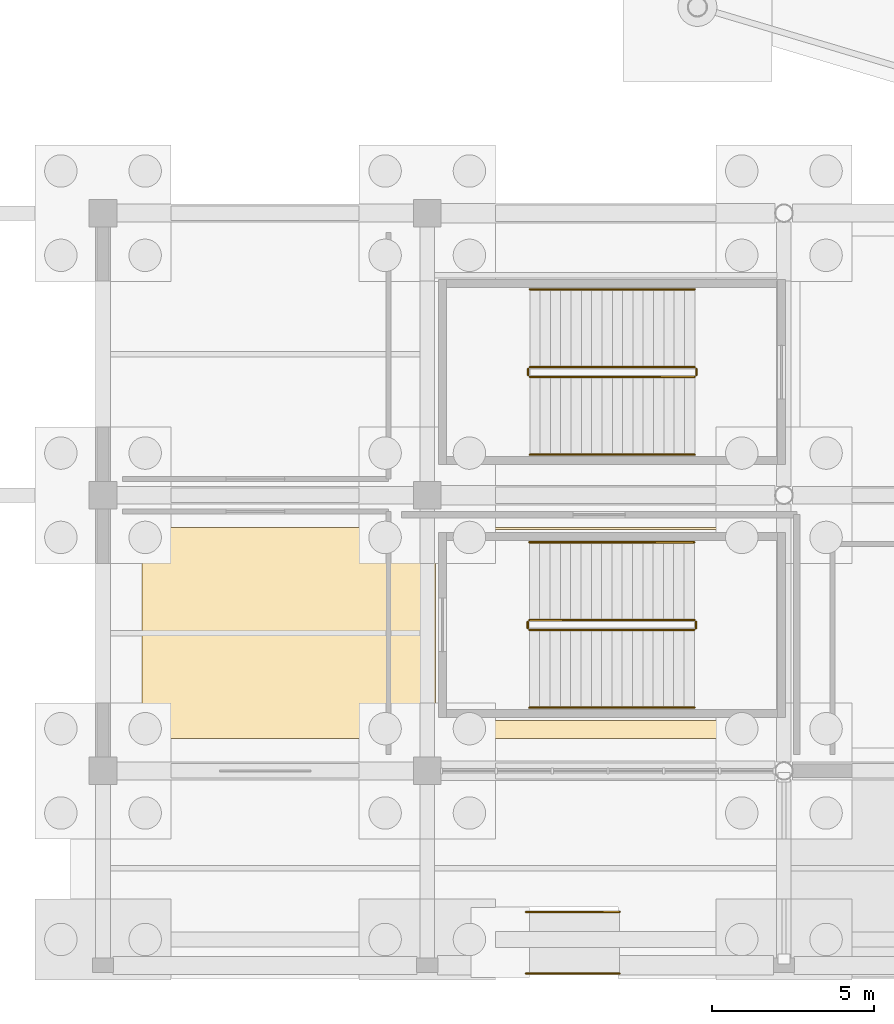
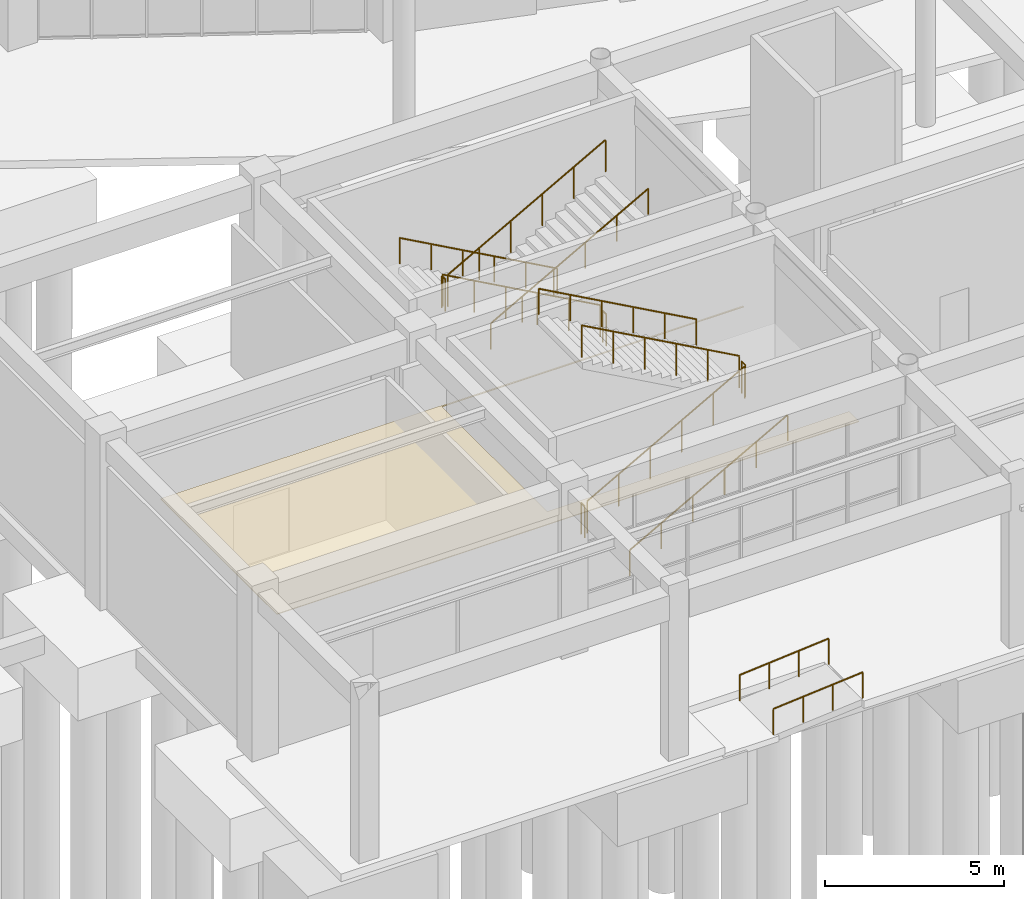
# One storey, part 101 of 121: 14 railings, 1 covering.
"""IFC4 building model written with IfcOpenShell, lengths in metres."""

from ifc_helpers import new_model, si_unit, direction, frame, origin, origin_2d, place, context, subcontext, project, spatial, polyline, circle, outline, extrude, material, layer, layer_set, type_object, element, save


model = new_model("IFC4")

# Units and contexts
model_context = context("Model", 3, precision=1e-05, world=origin(), true_north=direction((0.0, 1.0)))
body_context = subcontext(model_context, "Body", "Model", "MODEL_VIEW")
ifc_project = project(units=[si_unit("LENGTHUNIT", "METRE"), si_unit("AREAUNIT", "SQUARE_METRE"), si_unit("VOLUMEUNIT", "CUBIC_METRE"), si_unit("PLANEANGLEUNIT", "RADIAN"), si_unit("MASSUNIT", "GRAM", prefix="KILO")], contexts=[model_context])

# Site, building, storey
site_placement = place(None, origin())
site = spatial("IfcSite", under=ifc_project, at=site_placement, CompositionType="ELEMENT")
building_placement = place(site_placement, origin())
building = spatial("IfcBuilding", under=site, at=building_placement, Name="Cuetzalor Civic Arena", CompositionType="ELEMENT")
storey_placement = place(building_placement, origin())
storey = spatial("IfcBuildingStorey", under=building, at=storey_placement, Name="L00", CompositionType="ELEMENT", Elevation=0.0)

# Covering
ifc_material_1 = material(Name="Perforated acoustic mineral ceiling board", Category="gypsum")
ifc_layer = layer(ifc_material_1, 0.02490234375)
ifc_layer_set = layer_set([ifc_layer], Name="Perforated acoustic mineral ceiling board")
covering_type = type_object("IfcCoveringType", Name="AcousticMineralCeiling_25", PredefinedType="CEILING", material=ifc_layer_set)
covering_placement = place(storey_placement, frame((0.0, 0.0, 3.60009765625)))
element("IfcCovering", 1, at=covering_placement, inside=storey, type_object=covering_type, Name="Ticketing Hall Acoustic Ceiling", PredefinedType="CEILING", context=body_context, shape_type="SweptSolid", body=[
    extrude(outline(polyline([(-22.0, -64.5), (-40.800048828125, -64.5), (-40.800048828125, -58.0), (-22.0, -58.0), (-22.0, -58.050048828125), (-31.75, -58.050048828125), (-31.75, -63.949951171875), (-22.0, -63.949951171875), (-22.0, -64.5)])), origin(), (0.0, 0.0, 1.0), 0.02490234375),
])

# Railings
ifc_material_2 = material(Name="Reseda-green architectural Steel S355 balustrade", Category="steel")
railing_type_1 = type_object("IfcRailingType", Name="InteriorVoidBalustrade_1100", PredefinedType="BALUSTRADE", material=ifc_material_2)
railing_1_placement = place(storey_placement, frame((-28.85009765625, -61.14990234375, 0.176513671875)))
element("IfcRailing", 2, at=railing_1_placement, inside=storey, type_object=railing_type_1, Name="L00 ST-09 stair guard 1", PredefinedType="BALUSTRADE", context=body_context, shape_type="SweptSolid", body=[
    extrude(circle(Radius=0.02392578125, at=origin_2d()), frame((0.0, 0.0, 1.0810546875), z_axis=(0.874394655587, 0.0, 0.485215401941), x_axis=(0.0, 1.0, 0.0)), (0.0, 0.0, 1.0), 5.819091796875),
    extrude(circle(Radius=0.02099609375, at=origin_2d()), origin(), (0.0, 0.0, 1.0), 1.056884765625),
    extrude(circle(Radius=0.02099609375, at=origin_2d()), frame((1.017578125, 0.0, 0.564697265625)), (0.0, 0.0, 1.0), 1.056884765625),
    extrude(circle(Radius=0.02099609375, at=origin_2d()), frame((2.03515625, 0.0, 1.12939453125)), (0.0, 0.0, 1.0), 1.056884765625),
    extrude(circle(Radius=0.02099609375, at=origin_2d()), frame((3.052978515625, 0.0, 1.694091796875)), (0.0, 0.0, 1.0), 1.056884765625),
    extrude(circle(Radius=0.02099609375, at=origin_2d()), frame((4.070556640625, 0.0, 2.2587890625)), (0.0, 0.0, 1.0), 1.056884765625),
    extrude(circle(Radius=0.02099609375, at=origin_2d()), frame((5.088134765625, 0.0, 2.823486328125)), (0.0, 0.0, 1.0), 1.056884765625),
])
railing_2_placement = place(storey_placement, frame((-23.7119140625, -61.10009765625, 3.0)))
element("IfcRailing", 3, at=railing_2_placement, inside=storey, type_object=railing_type_1, Name="L00 ST-09 stair guard 2", PredefinedType="BALUSTRADE", context=body_context, shape_type="SweptSolid", body=[
    extrude(circle(Radius=0.02392578125, at=origin_2d()), frame((0.0, 0.0, 1.0810546875), z_axis=(0.0, 1.0, 0.0), x_axis=(-1.0, 0.0, 0.0)), (0.0, 0.0, 1.0), 0.2001953125),
    extrude(circle(Radius=0.02099609375, at=origin_2d()), origin(), (0.0, 0.0, 1.0), 1.056884765625),
    extrude(circle(Radius=0.02099609375, at=origin_2d()), frame((0.0, 0.2001953125, 0.0)), (0.0, 0.0, 1.0), 1.056884765625),
])
railing_3_placement = place(storey_placement, frame((-23.761962890625, -60.85009765625, 3.176513671875)))
element("IfcRailing", 4, at=railing_3_placement, inside=storey, type_object=railing_type_1, Name="L00 ST-09 stair guard 3", PredefinedType="BALUSTRADE", context=body_context, shape_type="SweptSolid", body=[
    extrude(circle(Radius=0.02392578125, at=origin_2d()), frame((0.0, 0.0, 1.0810546875), z_axis=(-0.874394655587, 0.0, 0.485215401941), x_axis=(0.0, -1.0, 0.0)), (0.0, 0.0, 1.0), 5.819091796875),
    extrude(circle(Radius=0.02099609375, at=origin_2d()), origin(), (0.0, 0.0, 1.0), 1.056884765625),
    extrude(circle(Radius=0.02099609375, at=origin_2d()), frame((-1.017578125, 0.0, 0.564697265625)), (0.0, 0.0, 1.0), 1.056884765625),
    extrude(circle(Radius=0.02099609375, at=origin_2d()), frame((-2.03515625, 0.0, 1.12939453125)), (0.0, 0.0, 1.0), 1.056884765625),
    extrude(circle(Radius=0.02099609375, at=origin_2d()), frame((-3.052978515625, 0.0, 1.694091796875)), (0.0, 0.0, 1.0), 1.056884765625),
    extrude(circle(Radius=0.02099609375, at=origin_2d()), frame((-4.070556640625, 0.0, 2.2587890625)), (0.0, 0.0, 1.0), 1.056884765625),
    extrude(circle(Radius=0.02099609375, at=origin_2d()), frame((-5.088134765625, 0.0, 2.823486328125)), (0.0, 0.0, 1.0), 1.056884765625),
])
railing_4_placement = place(storey_placement, frame((-28.89990234375, -61.10009765625, 0.0)))
element("IfcRailing", 5, at=railing_4_placement, inside=storey, type_object=railing_type_1, Name="L00 ST-09 stair guard 4", PredefinedType="BALUSTRADE", context=body_context, shape_type="SweptSolid", body=[
    extrude(circle(Radius=0.02392578125, at=origin_2d()), frame((0.0, 0.0, 1.0810546875), z_axis=(0.0, 1.0, 0.0), x_axis=(-1.0, 0.0, 0.0)), (0.0, 0.0, 1.0), 0.2001953125),
    extrude(circle(Radius=0.02099609375, at=origin_2d()), origin(), (0.0, 0.0, 1.0), 1.056884765625),
    extrude(circle(Radius=0.02099609375, at=origin_2d()), frame((0.0, 0.2001953125, 0.0)), (0.0, 0.0, 1.0), 1.056884765625),
])
railing_5_placement = place(storey_placement, frame((-23.75, -53.050048828125, 0.176513671875)))
element("IfcRailing", 6, at=railing_5_placement, inside=storey, type_object=railing_type_1, Name="L00 ST-10 stair guard 1", PredefinedType="BALUSTRADE", context=body_context, shape_type="SweptSolid", body=[
    extrude(circle(Radius=0.02392578125, at=origin_2d()), frame((0.0, 0.0, 1.0810546875), z_axis=(-0.874384777292, 0.0, 0.485233202945), x_axis=(0.0, -1.0, 0.0)), (0.0, 0.0, 1.0), 5.81884765625),
    extrude(circle(Radius=0.02099609375, at=origin_2d()), origin(), (0.0, 0.0, 1.0), 1.056884765625),
    extrude(circle(Radius=0.02099609375, at=origin_2d()), frame((-1.017578125, 0.0, 0.564697265625)), (0.0, 0.0, 1.0), 1.056884765625),
    extrude(circle(Radius=0.02099609375, at=origin_2d()), frame((-2.03515625, 0.0, 1.12939453125)), (0.0, 0.0, 1.0), 1.056884765625),
    extrude(circle(Radius=0.02099609375, at=origin_2d()), frame((-3.052734375, 0.0, 1.694091796875)), (0.0, 0.0, 1.0), 1.056884765625),
    extrude(circle(Radius=0.02099609375, at=origin_2d()), frame((-4.0703125, 0.0, 2.2587890625)), (0.0, 0.0, 1.0), 1.056884765625),
    extrude(circle(Radius=0.02099609375, at=origin_2d()), frame((-5.087890625, 0.0, 2.823486328125)), (0.0, 0.0, 1.0), 1.056884765625),
])
railing_6_placement = place(storey_placement, frame((-28.887939453125, -53.10009765625, 3.0)))
element("IfcRailing", 7, at=railing_6_placement, inside=storey, type_object=railing_type_1, Name="L00 ST-10 stair guard 2", PredefinedType="BALUSTRADE", context=body_context, shape_type="SweptSolid", body=[
    extrude(circle(Radius=0.02392578125, at=origin_2d()), frame((0.0, 0.0, 1.0810546875), z_axis=(0.0, -1.0, 0.0), x_axis=(1.0, 0.0, 0.0)), (0.0, 0.0, 1.0), 0.199951171875),
    extrude(circle(Radius=0.02099609375, at=origin_2d()), origin(), (0.0, 0.0, 1.0), 1.056884765625),
    extrude(circle(Radius=0.02099609375, at=origin_2d()), frame((0.0, -0.199951171875, 0.0)), (0.0, 0.0, 1.0), 1.056884765625),
])
railing_7_placement = place(storey_placement, frame((-28.837890625, -53.35009765625, 3.176513671875)))
element("IfcRailing", 8, at=railing_7_placement, inside=storey, type_object=railing_type_1, Name="L00 ST-10 stair guard 3", PredefinedType="BALUSTRADE", context=body_context, shape_type="SweptSolid", body=[
    extrude(circle(Radius=0.02392578125, at=origin_2d()), frame((0.0, 0.0, 1.0810546875), z_axis=(0.874384777292, 0.0, 0.485233202945), x_axis=(0.0, 1.0, 0.0)), (0.0, 0.0, 1.0), 5.81884765625),
    extrude(circle(Radius=0.02099609375, at=origin_2d()), origin(), (0.0, 0.0, 1.0), 1.056884765625),
    extrude(circle(Radius=0.02099609375, at=origin_2d()), frame((1.017578125, 0.0, 0.564697265625)), (0.0, 0.0, 1.0), 1.056884765625),
    extrude(circle(Radius=0.02099609375, at=origin_2d()), frame((2.03515625, 0.0, 1.12939453125)), (0.0, 0.0, 1.0), 1.056884765625),
    extrude(circle(Radius=0.02099609375, at=origin_2d()), frame((3.052734375, 0.0, 1.694091796875)), (0.0, 0.0, 1.0), 1.056884765625),
    extrude(circle(Radius=0.02099609375, at=origin_2d()), frame((4.0703125, 0.0, 2.2587890625)), (0.0, 0.0, 1.0), 1.056884765625),
    extrude(circle(Radius=0.02099609375, at=origin_2d()), frame((5.087890625, 0.0, 2.823486328125)), (0.0, 0.0, 1.0), 1.056884765625),
])
railing_8_placement = place(storey_placement, frame((-23.699951171875, -53.10009765625, 0.0)))
element("IfcRailing", 9, at=railing_8_placement, inside=storey, type_object=railing_type_1, Name="L00 ST-10 stair guard 4", PredefinedType="BALUSTRADE", context=body_context, shape_type="SweptSolid", body=[
    extrude(circle(Radius=0.02392578125, at=origin_2d()), frame((0.0, 0.0, 1.0810546875), z_axis=(0.0, -1.0, 0.0), x_axis=(1.0, 0.0, 0.0)), (0.0, 0.0, 1.0), 0.199951171875),
    extrude(circle(Radius=0.02099609375, at=origin_2d()), origin(), (0.0, 0.0, 1.0), 1.056884765625),
    extrude(circle(Radius=0.02099609375, at=origin_2d()), frame((0.0, -0.199951171875, 0.0)), (0.0, 0.0, 1.0), 1.056884765625),
])
ifc_material_3 = material(Name="Galvanised steel S355", Category="steel")
railing_type_2 = type_object("IfcRailingType", Name="StairPitchHandrail_900", PredefinedType="HANDRAIL", material=ifc_material_3)
railing_9_placement = place(storey_placement, frame((-28.85009765625, -63.550048828125, 0.176513671875)))
element("IfcRailing", 10, at=railing_9_placement, inside=storey, type_object=railing_type_2, Name="L00 ST-09 stair handrail 1", PredefinedType="HANDRAIL", context=body_context, shape_type="SweptSolid", body=[
    extrude(circle(Radius=0.02392578125, at=origin_2d()), frame((0.0, 0.0, 0.8759765625), z_axis=(0.874394655587, 0.0, 0.485215401941), x_axis=(0.0, 1.0, 0.0)), (0.0, 0.0, 1.0), 5.819091796875),
    extrude(circle(Radius=0.02099609375, at=origin_2d()), origin(), (0.0, 0.0, 1.0), 0.851806640625),
    extrude(circle(Radius=0.02099609375, at=origin_2d()), frame((1.017578125, 0.0, 0.564697265625)), (0.0, 0.0, 1.0), 0.851806640625),
    extrude(circle(Radius=0.02099609375, at=origin_2d()), frame((2.03515625, 0.0, 1.12939453125)), (0.0, 0.0, 1.0), 0.851806640625),
    extrude(circle(Radius=0.02099609375, at=origin_2d()), frame((3.052978515625, 0.0, 1.694091796875)), (0.0, 0.0, 1.0), 0.851806640625),
    extrude(circle(Radius=0.02099609375, at=origin_2d()), frame((4.070556640625, 0.0, 2.2587890625)), (0.0, 0.0, 1.0), 0.851806640625),
    extrude(circle(Radius=0.02099609375, at=origin_2d()), frame((5.088134765625, 0.0, 2.823486328125)), (0.0, 0.0, 1.0), 0.851806640625),
])
railing_10_placement = place(storey_placement, frame((-23.761962890625, -58.449951171875, 3.176513671875)))
element("IfcRailing", 11, at=railing_10_placement, inside=storey, type_object=railing_type_2, Name="L00 ST-09 stair handrail 2", PredefinedType="HANDRAIL", context=body_context, shape_type="SweptSolid", body=[
    extrude(circle(Radius=0.02392578125, at=origin_2d()), frame((0.0, 0.0, 0.8759765625), z_axis=(-0.874394655587, 0.0, 0.485215401941), x_axis=(0.0, -1.0, 0.0)), (0.0, 0.0, 1.0), 5.819091796875),
    extrude(circle(Radius=0.02099609375, at=origin_2d()), origin(), (0.0, 0.0, 1.0), 0.851806640625),
    extrude(circle(Radius=0.02099609375, at=origin_2d()), frame((-1.017578125, 0.0, 0.564697265625)), (0.0, 0.0, 1.0), 0.851806640625),
    extrude(circle(Radius=0.02099609375, at=origin_2d()), frame((-2.03515625, 0.0, 1.12939453125)), (0.0, 0.0, 1.0), 0.851806640625),
    extrude(circle(Radius=0.02099609375, at=origin_2d()), frame((-3.052978515625, 0.0, 1.694091796875)), (0.0, 0.0, 1.0), 0.851806640625),
    extrude(circle(Radius=0.02099609375, at=origin_2d()), frame((-4.070556640625, 0.0, 2.2587890625)), (0.0, 0.0, 1.0), 0.851806640625),
    extrude(circle(Radius=0.02099609375, at=origin_2d()), frame((-5.088134765625, 0.0, 2.823486328125)), (0.0, 0.0, 1.0), 0.851806640625),
])
railing_11_placement = place(storey_placement, frame((-23.75, -50.64990234375, 0.176513671875)))
element("IfcRailing", 12, at=railing_11_placement, inside=storey, type_object=railing_type_2, Name="L00 ST-10 stair handrail 1", PredefinedType="HANDRAIL", context=body_context, shape_type="SweptSolid", body=[
    extrude(circle(Radius=0.02392578125, at=origin_2d()), frame((0.0, 0.0, 0.8759765625), z_axis=(-0.874384777292, 0.0, 0.485233202945), x_axis=(0.0, -1.0, 0.0)), (0.0, 0.0, 1.0), 5.81884765625),
    extrude(circle(Radius=0.02099609375, at=origin_2d()), origin(), (0.0, 0.0, 1.0), 0.851806640625),
    extrude(circle(Radius=0.02099609375, at=origin_2d()), frame((-1.017578125, 0.0, 0.564697265625)), (0.0, 0.0, 1.0), 0.851806640625),
    extrude(circle(Radius=0.02099609375, at=origin_2d()), frame((-2.03515625, 0.0, 1.12939453125)), (0.0, 0.0, 1.0), 0.851806640625),
    extrude(circle(Radius=0.02099609375, at=origin_2d()), frame((-3.052734375, 0.0, 1.694091796875)), (0.0, 0.0, 1.0), 0.851806640625),
    extrude(circle(Radius=0.02099609375, at=origin_2d()), frame((-4.0703125, 0.0, 2.2587890625)), (0.0, 0.0, 1.0), 0.851806640625),
    extrude(circle(Radius=0.02099609375, at=origin_2d()), frame((-5.087890625, 0.0, 2.823486328125)), (0.0, 0.0, 1.0), 0.851806640625),
])
railing_12_placement = place(storey_placement, frame((-28.837890625, -55.75, 3.176513671875)))
element("IfcRailing", 13, at=railing_12_placement, inside=storey, type_object=railing_type_2, Name="L00 ST-10 stair handrail 2", PredefinedType="HANDRAIL", context=body_context, shape_type="SweptSolid", body=[
    extrude(circle(Radius=0.02392578125, at=origin_2d()), frame((0.0, 0.0, 0.8759765625), z_axis=(0.874384777292, 0.0, 0.485233202945), x_axis=(0.0, 1.0, 0.0)), (0.0, 0.0, 1.0), 5.81884765625),
    extrude(circle(Radius=0.02099609375, at=origin_2d()), origin(), (0.0, 0.0, 1.0), 0.851806640625),
    extrude(circle(Radius=0.02099609375, at=origin_2d()), frame((1.017578125, 0.0, 0.564697265625)), (0.0, 0.0, 1.0), 0.851806640625),
    extrude(circle(Radius=0.02099609375, at=origin_2d()), frame((2.03515625, 0.0, 1.12939453125)), (0.0, 0.0, 1.0), 0.851806640625),
    extrude(circle(Radius=0.02099609375, at=origin_2d()), frame((3.052734375, 0.0, 1.694091796875)), (0.0, 0.0, 1.0), 0.851806640625),
    extrude(circle(Radius=0.02099609375, at=origin_2d()), frame((4.0703125, 0.0, 2.2587890625)), (0.0, 0.0, 1.0), 0.851806640625),
    extrude(circle(Radius=0.02099609375, at=origin_2d()), frame((5.087890625, 0.0, 2.823486328125)), (0.0, 0.0, 1.0), 0.851806640625),
])
for number, where, name in (
    (14, (-28.949951171875, -69.85009765625, -0.239990234375), "Accessible Ramp RMP-S1 Handrail L"),
    (15, (-28.949951171875, -71.75, -0.239990234375), "Accessible Ramp RMP-S1 Handrail R"),
):
    element("IfcRailing", number, at=place(storey_placement, frame(where)), inside=storey, type_object=railing_type_2, Name=name, PredefinedType="HANDRAIL", context=body_context, shape_type="SweptSolid", body=[
        extrude(circle(Radius=0.02392578125, at=origin_2d()), frame((0.0, 0.0, 0.8759765625), z_axis=(0.996545758245, 0.0, 0.083045479854), x_axis=(0.0, 1.0, 0.0)), (0.0, 0.0, 1.0), 2.889892578125),
        extrude(circle(Radius=0.02099609375, at=origin_2d()), origin(), (0.0, 0.0, 1.0), 0.851806640625),
        extrude(circle(Radius=0.02099609375, at=origin_2d()), frame((0.9599609375, 0.0, 0.080078125)), (0.0, 0.0, 1.0), 0.851806640625),
        extrude(circle(Radius=0.02099609375, at=origin_2d()), frame((1.919921875, 0.0, 0.159912109375)), (0.0, 0.0, 1.0), 0.851806640625),
        extrude(circle(Radius=0.02099609375, at=origin_2d()), frame((2.8798828125, 0.0, 0.239990234375)), (0.0, 0.0, 1.0), 0.851806640625),
    ])

save(model, "model.ifc")
